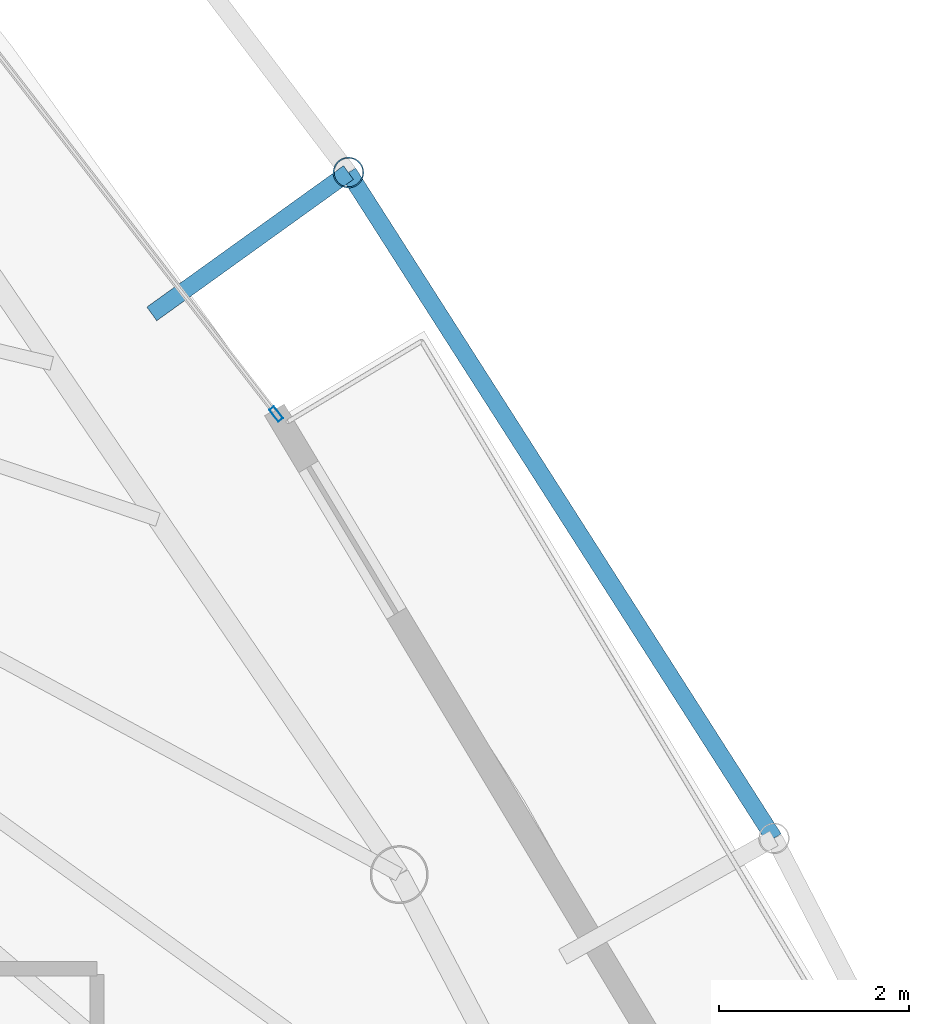
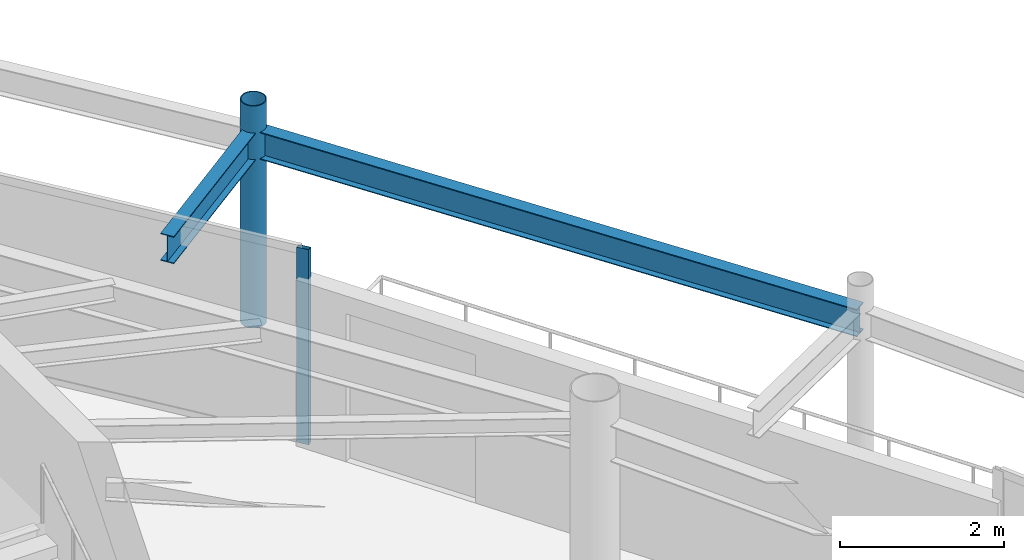
# One storey, part 19 of 29: 2 beams, 2 members, 1 element without a shape of its own.
"""IFC4 building model written with IfcOpenShell, lengths in metres."""

import ifcopenshell
import ifcopenshell.guid

model = None  # the IFC model being written
_history = None  # IfcOwnerHistory: only IFC2X3 demands one
_inside = {}  # id of a spatial element -> (the spatial element, [elements in it])
_under = {}  # id of a project, library or spatial element -> (it, [spatial elements below it])
_declared = {}  # id of a project -> (the project, [libraries it declares])
_typed = {}  # id of a type object -> (the type object, [elements of that type])
_made_of = {}  # id of a material, layer set ... -> (it, [elements and type objects made of it])


def new_model(schema):
    """Start an empty IFC model of exactly this schema.

    Asked for "IFC4X3", IfcOpenShell would pick the latest addendum, in which some entities
    have other attributes; the version numbers below select the first issue.
    IFC2X3 requires an IfcOwnerHistory on every rooted entity: one is made here for all.
    """
    global model, _history
    if schema == "IFC4X3":
        model = ifcopenshell.file(schema_version=(4, 3, 0, 0))
    else:
        model = ifcopenshell.file(schema=schema)
    _inside.clear()
    _under.clear()
    _declared.clear()
    _typed.clear()
    _made_of.clear()
    _history = None
    if model.schema == "IFC2X3":
        org = make("IfcOrganization", Name="unknown")
        user = make(
            "IfcPersonAndOrganization",
            ThePerson=make("IfcPerson", FamilyName="unknown"),
            TheOrganization=org,
        )
        app = make(
            "IfcApplication",
            ApplicationDeveloper=org,
            Version="unknown",
            ApplicationFullName="unknown",
            ApplicationIdentifier="unknown",
        )
        _history = make(
            "IfcOwnerHistory",
            OwningUser=user,
            OwningApplication=app,
            ChangeAction="ADDED",
            CreationDate=0,
        )
    return model


def make(cls, **values):
    """One entity of the class cls with the attributes given. An attribute that is None is left unset."""
    return model.create_entity(
        cls, **{name: value for name, value in values.items() if value is not None}
    )


def rooted(cls, **values):
    """An entity with a GlobalId (a new one), such as an element, a storey or a relation."""
    return make(cls, GlobalId=ifcopenshell.guid.new(), OwnerHistory=_history, **values)


def si_unit(unit_type, name, prefix=None):
    """IfcSIUnit, for example si_unit("LENGTHUNIT", "METRE", prefix="MILLI")."""
    return make("IfcSIUnit", UnitType=unit_type, Prefix=prefix, Name=name)


def assignment(units):
    """IfcUnitAssignment: the units of a project."""
    return None if units is None else make("IfcUnitAssignment", Units=units)


def point(xyz):
    """IfcCartesianPoint."""
    return None if xyz is None else make("IfcCartesianPoint", Coordinates=xyz)


def direction(xyz):
    """IfcDirection."""
    return None if xyz is None else make("IfcDirection", DirectionRatios=xyz)


def frame(location, z_axis=None, x_axis=None):
    """IfcAxis2Placement3D, a coordinate frame: its origin and axes. An axis left out is left unset."""
    return make(
        "IfcAxis2Placement3D",
        Location=point(location),
        Axis=direction(z_axis),
        RefDirection=direction(x_axis),
    )


def frame_2d(location, x_axis=None):
    """IfcAxis2Placement2D, a coordinate frame in the plane: its origin and x axis."""
    return make(
        "IfcAxis2Placement2D", Location=point(location), RefDirection=direction(x_axis)
    )


def origin():
    """The frame at (0, 0, 0) with its axes left unset."""
    return frame((0.0, 0.0, 0.0))


def origin_2d():
    """The frame at (0, 0) in the plane with its x axis left unset."""
    return frame_2d((0.0, 0.0))


def place(relative_to, where):
    """IfcLocalPlacement: puts the frame where relative to a parent placement (None: the world)."""
    return make(
        "IfcLocalPlacement", PlacementRelTo=relative_to, RelativePlacement=where
    )


def context(
    kind, dimensions, precision=None, world=None, true_north=None, identifier=None
):
    """IfcGeometricRepresentationContext, for example the 3D "Model" context."""
    return make(
        "IfcGeometricRepresentationContext",
        ContextIdentifier=identifier,
        ContextType=kind,
        CoordinateSpaceDimension=dimensions,
        Precision=precision,
        WorldCoordinateSystem=world,
        TrueNorth=true_north,
    )


def subcontext(parent, identifier, kind, view, scale=None):
    """IfcGeometricRepresentationSubContext, for example "Body" below "Model"."""
    return make(
        "IfcGeometricRepresentationSubContext",
        ContextIdentifier=identifier,
        ContextType=kind,
        ParentContext=parent,
        TargetScale=scale,
        TargetView=view,
    )


def project(units=None, contexts=None):
    """IfcProject with its units and contexts."""
    return rooted(
        "IfcProject",
        Name="project",
        RepresentationContexts=contexts,
        UnitsInContext=assignment(units),
    )


def spatial(cls, under=None, at=None, **own):
    """A site, building, storey or space (cls), placed at a placement, below another one or the project."""
    s = rooted(cls, ObjectPlacement=at, **own)
    if under is not None:
        _under.setdefault(under.id(), (under, []))[1].append(s)
    return s


def profile(cls, at=None, kind="AREA", **sizes):
    """A parametric profile (cls). Its sizes go by their IFC names, for example OverallWidth=200.0."""
    return make(cls, ProfileType=kind, Position=at, **sizes)


def hollow_rectangle(**sizes):
    """IfcRectangleHollowProfileDef."""
    return profile("IfcRectangleHollowProfileDef", **sizes)


def hollow_circle(**sizes):
    """IfcCircleHollowProfileDef."""
    return profile("IfcCircleHollowProfileDef", **sizes)


def i_section(**sizes):
    """IfcIShapeProfileDef."""
    return profile("IfcIShapeProfileDef", **sizes)


def extrude(swept, where, along, depth):
    """IfcExtrudedAreaSolid: the profile swept, set in the frame where, extruded along a direction by depth."""
    return make(
        "IfcExtrudedAreaSolid",
        SweptArea=swept,
        Position=where,
        ExtrudedDirection=direction(along),
        Depth=depth,
    )


def shape(context_of_items, identifier, shape_type, items):
    """IfcShapeRepresentation: the items that make up one representation, for example the "Body"."""
    return make(
        "IfcShapeRepresentation",
        ContextOfItems=context_of_items,
        RepresentationIdentifier=identifier,
        RepresentationType=shape_type,
        Items=items,
    )


def material(Name=None, Category=None):
    """IfcMaterial."""
    return make("IfcMaterial", Name=Name, Category=Category)


def layer(
    of_material, thickness, ventilated=None, Name=None, Category=None, Priority=None
):
    """IfcMaterialLayer: one layer of a wall or slab, of a material (None: an air gap)."""
    return make(
        "IfcMaterialLayer",
        Material=of_material,
        LayerThickness=thickness,
        IsVentilated=ventilated,
        Name=Name,
        Category=Category,
        Priority=Priority,
    )


def layer_set(layers, Name=None):
    """IfcMaterialLayerSet."""
    return make("IfcMaterialLayerSet", MaterialLayers=layers, LayerSetName=Name)


def material_profile(
    of_material, cross_section, Name=None, Category=None, Priority=None
):
    """IfcMaterialProfile: a cross section and its material."""
    return make(
        "IfcMaterialProfile",
        Name=Name,
        Material=of_material,
        Profile=cross_section,
        Priority=Priority,
        Category=Category,
    )


def profile_set(profiles, Name=None, composite=None):
    """IfcMaterialProfileSet."""
    return make(
        "IfcMaterialProfileSet",
        Name=Name,
        MaterialProfiles=profiles,
        CompositeProfile=composite,
    )


def made_of(thing, what):
    """Note that an element or type object is made of a material, layer set ...; save() writes the relation."""
    if what is not None:
        _made_of.setdefault(what.id(), (what, []))[1].append(thing)
    return thing


def type_object(cls, material=None, **own):
    """A type object (cls), such as IfcWallType, which elements share."""
    return made_of(rooted(cls, **own), material)


def element(
    cls,
    number,
    at=None,
    inside=None,
    cuts=None,
    type_object=None,
    material=None,
    context=None,
    identifier="Body",
    shape_type=None,
    held_by="IfcProductDefinitionShape",
    body=None,
    shapes=None,
    **own,
):
    """One element of the class cls, such as IfcWall. Its Tag is "e" and its number.

    at: its placement. inside: the storey or other place that contains it. cuts: it is an
    opening in that element (IfcRelVoidsElement). A single representation is given by context,
    identifier, shape_type and body (its items); several are given by shapes. held_by: the class
    of the entity that holds the representations. save() writes the other relations.
    """
    e = rooted(cls, Tag="e%d" % number, ObjectPlacement=at, **own)
    if body is not None:
        shapes = [shape(context, identifier, shape_type, body)]
    if shapes is not None:
        e.Representation = make(held_by, Representations=shapes)
    if inside is not None:
        _inside.setdefault(inside.id(), (inside, []))[1].append(e)
    if cuts is not None:
        rooted(
            "IfcRelVoidsElement", RelatingBuildingElement=cuts, RelatedOpeningElement=e
        )
    if type_object is not None:
        _typed.setdefault(type_object.id(), (type_object, []))[1].append(e)
    return made_of(e, material)


def aggregate(whole, parts):
    """IfcRelAggregates: a whole, such as a stair, and the parts it consists of."""
    return rooted("IfcRelAggregates", RelatingObject=whole, RelatedObjects=parts)


def save(model, path):
    """Write the relations noted so far, then the file.

    IfcRelAggregates (storeys below a building ...), IfcRelContainedInSpatialStructure (elements
    in a storey), IfcRelDefinesByType, IfcRelAssociatesMaterial and IfcRelDeclares: one each for
    every whole, place, type object, material and project.
    """
    for whole, parts in _under.values():
        aggregate(whole, parts)
    for where, things in _inside.values():
        rooted(
            "IfcRelContainedInSpatialStructure",
            RelatedElements=things,
            RelatingStructure=where,
        )
    for kind, things in _typed.values():
        rooted("IfcRelDefinesByType", RelatedObjects=things, RelatingType=kind)
    for what, things in _made_of.values():
        rooted("IfcRelAssociatesMaterial", RelatedObjects=things, RelatingMaterial=what)
    for by, libraries in _declared.values():
        rooted("IfcRelDeclares", RelatingContext=by, RelatedDefinitions=libraries)
    model.write(path)


model = new_model("IFC4")

# Units and contexts
model_context = context("Model", 3, precision=1e-05, world=origin(), true_north=direction((0.0, 1.0)))
body_context = subcontext(model_context, "Body", "Model", "MODEL_VIEW")
ifc_project = project(units=[si_unit("LENGTHUNIT", "METRE"), si_unit("AREAUNIT", "SQUARE_METRE"), si_unit("VOLUMEUNIT", "CUBIC_METRE"), si_unit("PLANEANGLEUNIT", "RADIAN"), si_unit("MASSUNIT", "GRAM", prefix="KILO")], contexts=[model_context])

# Site, building, storey
site_placement = place(None, origin())
site = spatial("IfcSite", under=ifc_project, at=site_placement, CompositionType="ELEMENT")
building_placement = place(site_placement, origin())
building = spatial("IfcBuilding", under=site, at=building_placement, Name="Orvanel Arch Residences", CompositionType="ELEMENT")
storey_placement = place(building_placement, frame((0.0, 0.0, 253.550048828125)))
storey = spatial("IfcBuildingStorey", under=building, at=storey_placement, Name="L72", CompositionType="ELEMENT", Elevation=253.550048828125)

# Curtain wall, member
ifc_material_1 = material(Name="Bronze-anodised aluminium AA6063-T6", Category="aluminium")
ifc_layer = layer(ifc_material_1, 0.175048828125)
ifc_layer_set = layer_set([ifc_layer], Name="Bronze-anodised aluminium AA6063-T6")
curtain_wall_type = type_object("IfcCurtainWallType", Name="CW4-HI-SYS", PredefinedType="NOTDEFINED", material=ifc_layer_set)
curtain_wall_placement = place(storey_placement, origin())
curtain_wall = element("IfcCurtainWall", 1, at=curtain_wall_placement, inside=storey, type_object=curtain_wall_type, Name="L72 CW4-HI-SYS Unitised Curtain Wall", PredefinedType="NOTDEFINED")
ifc_material_profile_1 = material_profile(ifc_material_1, hollow_rectangle(XDim=0.06494140625, YDim=0.159912109375, WallThickness=0.00390625, at=origin_2d()), Name="ALU160x65x4")
ifc_profile_set_1 = profile_set([ifc_material_profile_1], Name="Bronze-anodised aluminium AA6063-T6")
member_type_1 = type_object("IfcMemberType", Name="MUL-160x65", PredefinedType="MULLION", material=ifc_profile_set_1)
member_1_placement = place(storey_placement, frame((44.13623046875, 32.48974609375, 0.0), z_axis=(0.0, 0.0, 1.0), x_axis=(-0.791336812136, -0.611380446006, 0.0)))
member_1 = element("IfcMember", 2, at=member_1_placement, type_object=member_type_1, Name="CW-S4 mullion 1", PredefinedType="MULLION", context=body_context, shape_type="SweptSolid", body=[
    extrude(hollow_rectangle(XDim=0.06494140625, YDim=0.159912109375, WallThickness=0.00390625, at=origin_2d()), origin(), (0.0, 0.0, 1.0), 2.89990234375),
])
aggregate(curtain_wall, [member_1])

# Beams
ifc_material_2 = material(Name="Structural steel AS/NZS 3679.1 Grade 300 (300 MPa)", Category="steel")
ifc_material_profile_2 = material_profile(ifc_material_2, i_section(OverallWidth=0.177978515625, OverallDepth=0.406005859375, WebThickness=0.0078125, FlangeThickness=0.0126953125, at=origin_2d()), Name="410UB59.7")
ifc_profile_set_2 = profile_set([ifc_material_profile_2], Name="Structural steel AS/NZS 3679.1 Grade 300 (300 MPa)")
beam_type = type_object("IfcBeamType", Name="OB-410UB-EXT", PredefinedType="SPANDREL", material=ifc_profile_set_2)
beam_1_placement = place(storey_placement, frame((49.376953125, 28.02294921875, 2.697021484375), z_axis=(-0.538612173863, 0.84255381203, 0.0), x_axis=(-0.84255381203, -0.538612173863, 0.0)))
element("IfcBeam", 3, at=beam_1_placement, inside=storey, type_object=beam_type, Name="L72 Outer Perimeter Floor Ring Beam 10", PredefinedType="SPANDREL", context=body_context, shape_type="SweptSolid", body=[
    extrude(i_section(OverallWidth=0.177978515625, OverallDepth=0.406005859375, WebThickness=0.0078125, FlangeThickness=0.0126953125, at=origin_2d()), origin(), (0.0, 0.0, 1.0), 8.317626953125),
])
beam_2_placement = place(storey_placement, frame((42.826904296875, 33.54296875, 2.697021484375), z_axis=(0.811982749892, 0.583681431842, 0.0), x_axis=(-0.583681431842, 0.811982749892, 0.0)))
element("IfcBeam", 4, at=beam_2_placement, inside=storey, type_object=beam_type, Name="L72 Outer Frame Radial Tie Beam 11", PredefinedType="SPANDREL", context=body_context, shape_type="SweptSolid", body=[
    extrude(i_section(OverallWidth=0.177978515625, OverallDepth=0.406005859375, WebThickness=0.0078125, FlangeThickness=0.0126953125, at=origin_2d()), origin(), (0.0, 0.0, 1.0), 2.54931640625),
])

# Member
ifc_material_3 = material(Name="Structural steel AS/NZS 1163 C350L0 (Grade 350)", Category="steel")
ifc_material_profile_3 = material_profile(ifc_material_3, hollow_circle(Radius=0.162109375, WallThickness=0.0126953125, at=origin_2d()), Name="CHS324x12.7")
ifc_profile_set_3 = profile_set([ifc_material_profile_3], Name="Structural steel AS/NZS 1163 C350L0 (Grade 350)")
member_type_2 = type_object("IfcMemberType", Name="ST-324CHS-EXT", PredefinedType="STRUT", material=ifc_profile_set_3)
member_2_placement = place(storey_placement, frame((44.89697265625, 35.031005859375, 0.0), z_axis=(0.0, 0.0, 1.0), x_axis=(1.0, 0.0, 0.0)))
element("IfcMember", 5, at=member_2_placement, inside=storey, type_object=member_type_2, Name="L72 Outer Perimeter Frame Post 11", PredefinedType="STRUT", context=body_context, shape_type="SweptSolid", body=[
    extrude(hollow_circle(Radius=0.162109375, WallThickness=0.0126953125, at=origin_2d()), origin(), (0.0, 0.0, 1.0), 3.300048828125),
])

save(model, "model.ifc")
